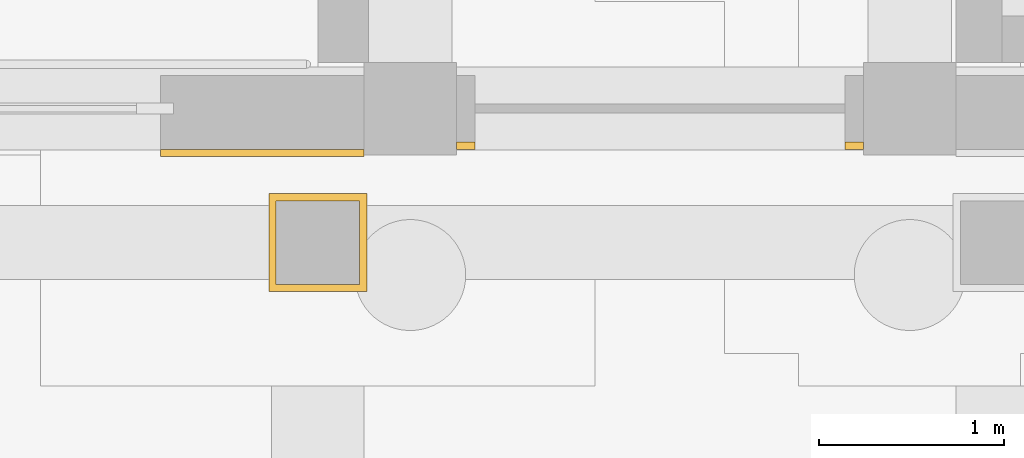
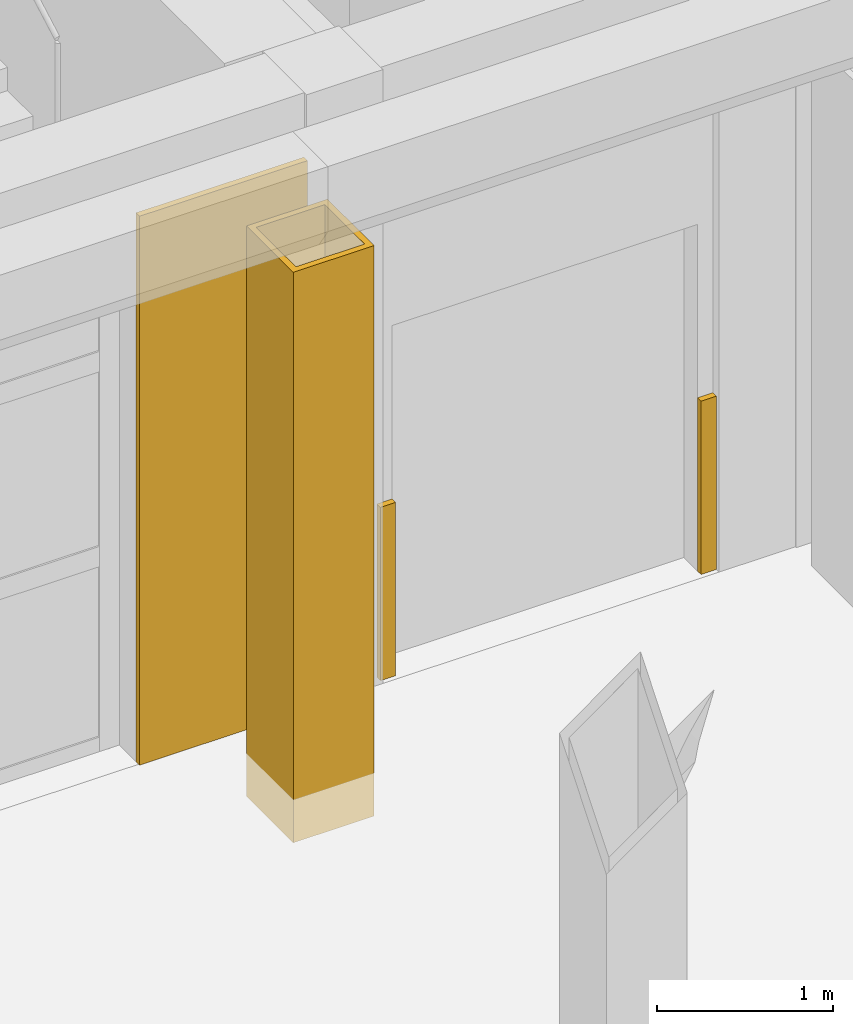
# One storey, part 120 of 161: 4 coverings.
"""IFC4 building model written with IfcOpenShell, lengths in metres."""

from ifc_helpers import new_model, si_unit, direction, frame, origin, origin_2d, place, context, subcontext, project, spatial, polyline, rectangle, outline, extrude, material, layer, layer_set, type_object, element, save


model = new_model("IFC4")

# Units and contexts
model_context = context("Model", 3, precision=1e-05, world=origin(), true_north=direction((0.0, 1.0)))
body_context = subcontext(model_context, "Body", "Model", "MODEL_VIEW")
ifc_project = project(units=[si_unit("LENGTHUNIT", "METRE"), si_unit("AREAUNIT", "SQUARE_METRE"), si_unit("VOLUMEUNIT", "CUBIC_METRE"), si_unit("PLANEANGLEUNIT", "RADIAN"), si_unit("MASSUNIT", "GRAM", prefix="KILO")], contexts=[model_context])

# Site, building, storey
site_placement = place(None, origin())
site = spatial("IfcSite", under=ifc_project, at=site_placement, CompositionType="ELEMENT")
building_placement = place(site_placement, origin())
building = spatial("IfcBuilding", under=site, at=building_placement, Name="Elbe Cascade School", CompositionType="ELEMENT")
storey_placement = place(building_placement, origin())
storey = spatial("IfcBuildingStorey", under=building, at=storey_placement, Name="L00", CompositionType="ELEMENT", Elevation=0.0)

# Coverings
ifc_material_1 = material(Name="Sandstone - red", Category="masonry")
ifc_layer_1 = layer(ifc_material_1, 0.0400390625)
ifc_layer_set_1 = layer_set([ifc_layer_1], Name="Sandstone - red")
covering_type_1 = type_object("IfcCoveringType", Name="Bars envelope Sandstone cladding, red, 40 mm", PredefinedType="CLADDING", material=ifc_layer_set_1)
covering_1_placement = place(storey_placement, frame((134.60009765625, 5.760009765625, 0.0), z_axis=(0.0, 0.0, 1.0), x_axis=(1.0, 0.0, 0.0)))
element("IfcCovering", 1, at=covering_1_placement, inside=storey, type_object=covering_type_1, Name="Sandstone cladding CV48 C.L00.s.1b.1", PredefinedType="CLADDING", context=body_context, shape_type="SweptSolid", body=[
    extrude(rectangle(XDim=1.10009765625, YDim=0.0400390625, at=origin_2d()), origin(), (0.0, 0.0, 1.0), 3.800048828125),
])
for number, where, z_axis, x_axis, name in (
    (2, (135.699951171875, 5.800048828125, 0.0), (0.0, 0.0, 1.0), (1.0, 0.0, 0.0), "Sandstone cladding CV48 C.L00.s.2.1"),
    (3, (137.800048828125, 5.800048828125, 0.0), (0.0, 0.0, 1.0), (1.0, 0.0, 0.0), "Sandstone cladding CV48 C.L00.s.2.2"),
):
    element("IfcCovering", number, at=place(storey_placement, frame(where, z_axis=z_axis, x_axis=x_axis)), inside=storey, type_object=covering_type_1, Name=name, PredefinedType="CLADDING", context=body_context, shape_type="SweptSolid", body=[
        extrude(rectangle(XDim=0.10009765625, YDim=0.0400390625, at=origin_2d()), origin(), (0.0, 0.0, 1.0), 1.199951171875),
    ])
ifc_material_2 = material(Name="Sandstone - red", Category="masonry")
ifc_layer_2 = layer(ifc_material_2, 0.0400390625)
ifc_layer_set_2 = layer_set([ifc_layer_2], Name="Sandstone - red")
covering_type_2 = type_object("IfcCoveringType", Name="Sandstone column cladding 40", PredefinedType="CLADDING", material=ifc_layer_set_2)
covering_2_placement = place(storey_placement, frame((0.0, 0.0, -0.300048828125)))
element("IfcCovering", 4, at=covering_2_placement, inside=storey, type_object=covering_type_2, Name="Colonnade column sandstone cladding R35", PredefinedType="CLADDING", context=body_context, shape_type="SweptSolid", body=[
    extrude(outline(polyline([(134.635009765625, 5.010009765625), (135.1650390625, 5.010009765625), (135.1650390625, 5.5400390625), (134.635009765625, 5.5400390625), (134.635009765625, 5.010009765625)]), holes=[polyline([(134.675048828125, 5.5), (135.125, 5.5), (135.125, 5.050048828125), (134.675048828125, 5.050048828125), (134.675048828125, 5.5)])]), origin(), (0.0, 0.0, 1.0), 3.949951171875),
])

save(model, "model.ifc")
